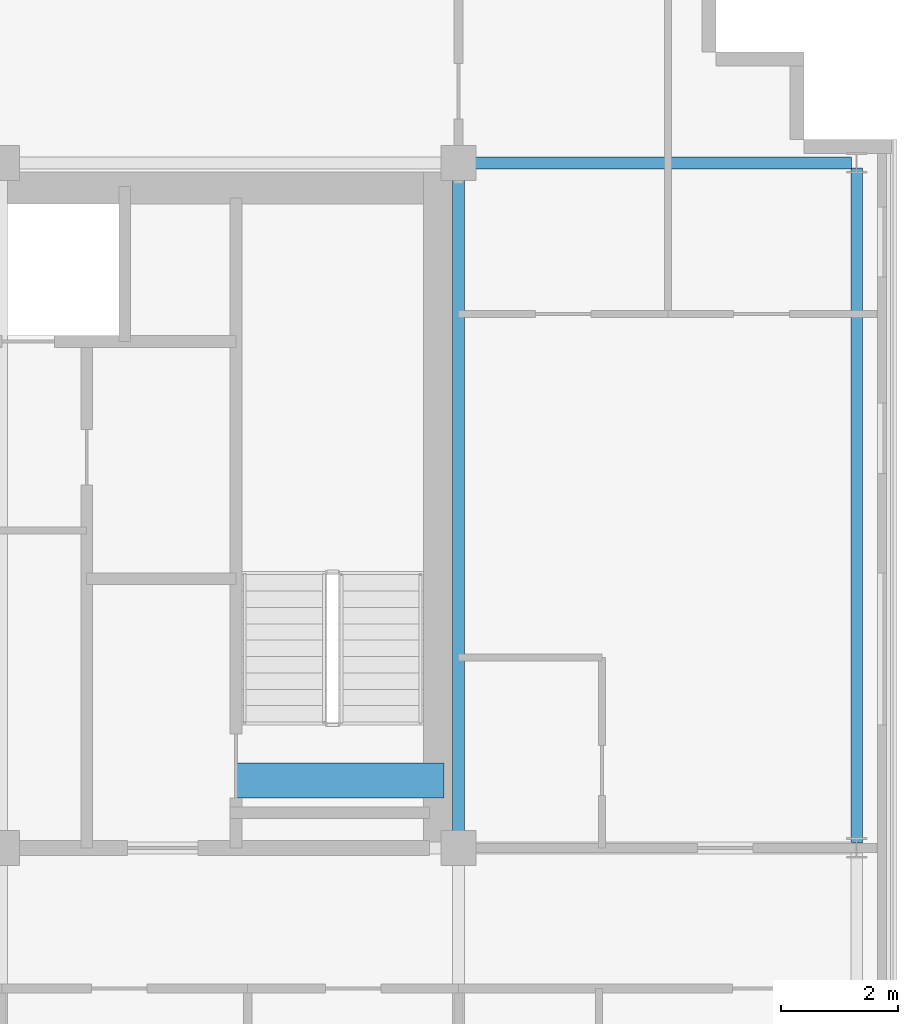
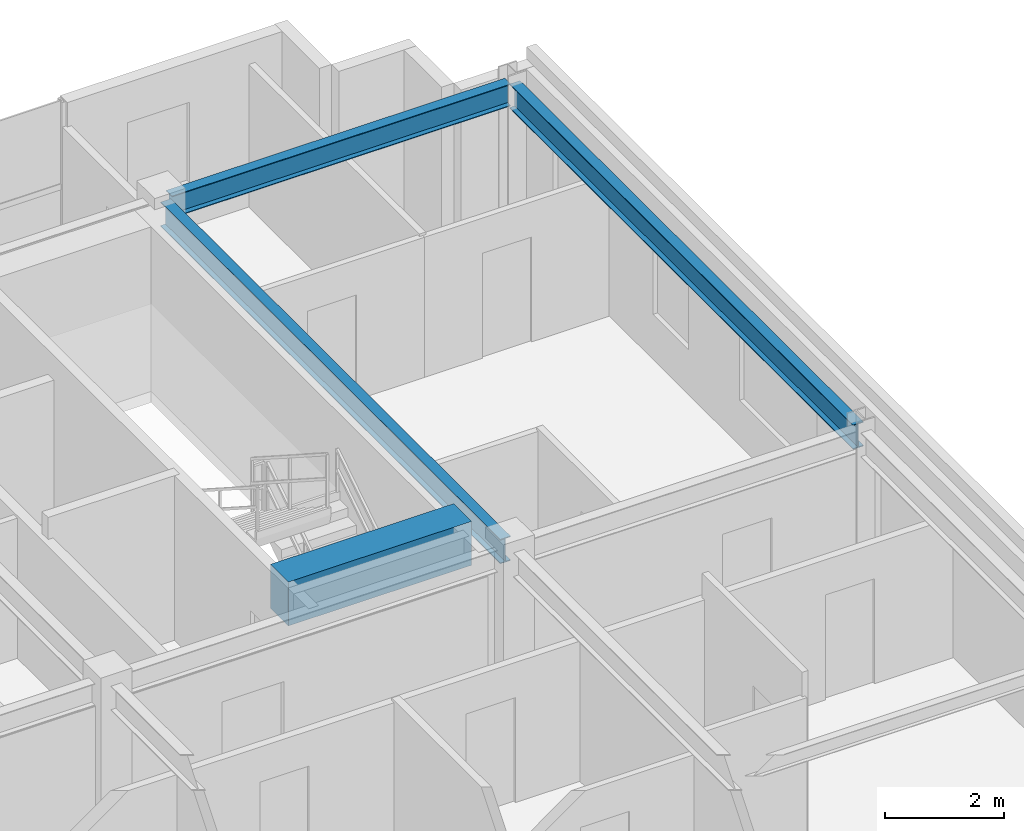
# One storey, part 13 of 22: 4 beams.
"""IFC4 building model written with IfcOpenShell, lengths in metres."""

from ifc_helpers import new_model, si_unit, direction, frame, origin, origin_2d, place, context, subcontext, project, spatial, rectangle, i_section, extrude, source, transform, mapped, material, material_profile, profile_set, type_object, element, save


model = new_model("IFC4")

# Units and contexts
model_context = context("Model", 3, precision=1e-05, world=origin(), true_north=direction((0.0, 1.0)))
body_context = subcontext(model_context, "Body", "Model", "MODEL_VIEW")
ifc_project = project(units=[si_unit("LENGTHUNIT", "METRE"), si_unit("AREAUNIT", "SQUARE_METRE"), si_unit("VOLUMEUNIT", "CUBIC_METRE"), si_unit("PLANEANGLEUNIT", "RADIAN"), si_unit("MASSUNIT", "GRAM", prefix="KILO")], contexts=[model_context])

# Site, building, storey
site_placement = place(None, origin())
site = spatial("IfcSite", under=ifc_project, at=site_placement, CompositionType="ELEMENT")
building_placement = place(site_placement, origin())
building = spatial("IfcBuilding", under=site, at=building_placement, Name="Trelvane Seafront Commons", CompositionType="ELEMENT")
storey_placement = place(building_placement, frame((0.0, 0.0, 277.5)))
storey = spatial("IfcBuildingStorey", under=building, at=storey_placement, Name="L72", CompositionType="ELEMENT", Elevation=277.5)

# Beams
ifc_material_1 = material(Name="Concrete C60/75", Category="concrete")
ifc_material_profile_1 = material_profile(ifc_material_1, rectangle(XDim=0.60009765625, YDim=0.89990234375, at=origin_2d()), Name="RC-600x900")
ifc_profile_set_1 = profile_set([ifc_material_profile_1], Name="Concrete C60/75")
beam_type_1 = type_object("IfcBeamType", Name="STR-LNT-RC600x900", PredefinedType="LINTEL", material=ifc_profile_set_1)
shared_shape_1 = source(origin(), body_context, "Body", "SweptSolid", [
    extrude(rectangle(XDim=0.60009765625, YDim=0.89990234375, at=origin_2d()), origin(), (0.0, 0.0, 1.0), 3.550048828125),
])
beam_1_placement = place(storey_placement, frame((55.0, 34.550048828125, 2.919921875), z_axis=(1.0, 0.0, 0.0), x_axis=(0.0, 1.0, 0.0)))
element("IfcBeam", 1, at=beam_1_placement, inside=storey, type_object=beam_type_1, Name="L72 Core Coupling Lintel Beam CB-68", PredefinedType="LINTEL", context=body_context, shape_type="MappedRepresentation", body=[
    mapped(shared_shape_1, transform((0.0, 0.0, 0.0), x_axis=(1.0, 0.0, 0.0), y_axis=(0.0, 1.0, 0.0), z_axis=(0.0, 0.0, 1.0), scale=1.0)),
])
ifc_material_2 = material(Name="Steel SM355 (S355)", Category="steel")
ifc_material_profile_2 = material_profile(ifc_material_2, i_section(OverallWidth=0.199951171875, OverallDepth=0.5, WebThickness=0.010009765625, FlangeThickness=0.01611328125, at=origin_2d()), Name="H-500x200x10x16")
ifc_profile_set_2 = profile_set([ifc_material_profile_2], Name="Steel SM355 (S355)")
beam_type_2 = type_object("IfcBeamType", Name="STR-BM-H500", PredefinedType="BEAM", material=ifc_profile_set_2)
shared_shape_2 = source(origin(), body_context, "Body", "SweptSolid", [
    extrude(i_section(OverallWidth=0.199951171875, OverallDepth=0.5, WebThickness=0.010009765625, FlangeThickness=0.01611328125, at=origin_2d()), origin(), (0.0, 0.0, 1.0), 11.39990234375),
])
beam_2_placement = place(storey_placement, frame((58.800048828125, 33.550048828125, 3.1201171875), z_axis=(0.0, 1.0, 0.0), x_axis=(-1.0, 0.0, 0.0)))
element("IfcBeam", 2, at=beam_2_placement, inside=storey, type_object=beam_type_2, Name="L72 Primary Girder G-49", PredefinedType="BEAM", context=body_context, shape_type="MappedRepresentation", body=[
    mapped(shared_shape_2, transform((0.0, 0.0, 0.0), x_axis=(1.0, 0.0, 0.0), y_axis=(0.0, 1.0, 0.0), z_axis=(0.0, 0.0, 1.0), scale=1.0)),
])
ifc_material_profile_3 = material_profile(ifc_material_2, i_section(OverallWidth=0.199951171875, OverallDepth=0.449951171875, WebThickness=0.009033203125, FlangeThickness=0.013916015625, at=origin_2d()), Name="H-450x200x9x14")
ifc_profile_set_3 = profile_set([ifc_material_profile_3], Name="Steel SM355 (S355)")
beam_type_3 = type_object("IfcBeamType", Name="STR-SPD-H450", PredefinedType="SPANDREL", material=ifc_profile_set_3)
shared_shape_3 = source(origin(), body_context, "Body", "SweptSolid", [
    extrude(i_section(OverallWidth=0.199951171875, OverallDepth=0.449951171875, WebThickness=0.009033203125, FlangeThickness=0.013916015625, at=origin_2d()), origin(), (0.0, 0.0, 1.0), 6.5625),
])
beam_3_placement = place(storey_placement, frame((58.949951171875, 45.10009765625, 3.14501953125), z_axis=(1.0, 0.0, 0.0), x_axis=(0.0, 1.0, 0.0)))
element("IfcBeam", 3, at=beam_3_placement, inside=storey, type_object=beam_type_3, Name="L72 Primary Girder G-28", PredefinedType="SPANDREL", context=body_context, shape_type="MappedRepresentation", body=[
    mapped(shared_shape_3, transform((0.0, 0.0, 0.0), x_axis=(1.0, 0.0, 0.0), y_axis=(0.0, 1.0, 0.0), z_axis=(0.0, 0.0, 1.0), scale=1.0)),
])
shared_shape_4 = source(origin(), body_context, "Body", "SweptSolid", [
    extrude(i_section(OverallWidth=0.199951171875, OverallDepth=0.5, WebThickness=0.010009765625, FlangeThickness=0.01611328125, at=origin_2d()), origin(), (0.0, 0.0, 1.0), 11.52490234375),
])
beam_4_placement = place(storey_placement, frame((65.60009765625, 33.487548828125, 3.1201171875), z_axis=(0.0, 1.0, 0.0), x_axis=(-1.0, 0.0, 0.0)))
element("IfcBeam", 4, at=beam_4_placement, inside=storey, type_object=beam_type_2, Name="L72 Primary Girder G-52", PredefinedType="BEAM", context=body_context, shape_type="MappedRepresentation", body=[
    mapped(shared_shape_4, transform((0.0, 0.0, 0.0), x_axis=(1.0, 0.0, 0.0), y_axis=(0.0, 1.0, 0.0), z_axis=(0.0, 0.0, 1.0), scale=1.0)),
])

save(model, "model.ifc")
